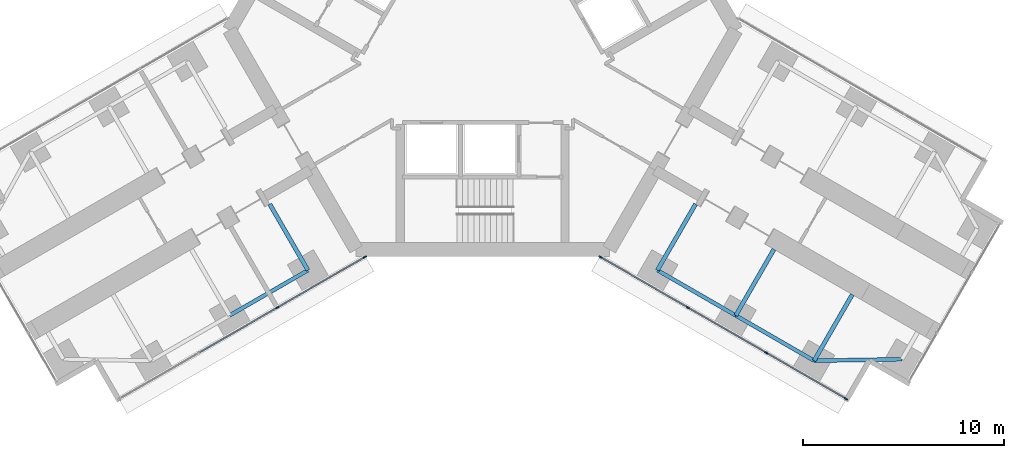
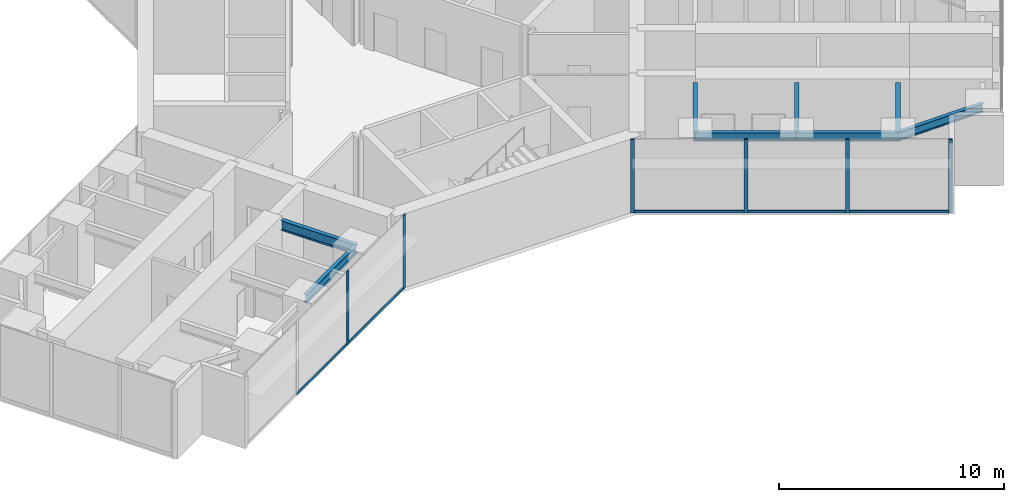
# One storey, part 9 of 23: 11 members, 8 beams, 2 elements without a shape of their own.
"""IFC4 building model written with IfcOpenShell, lengths in metres."""

from ifc_helpers import new_model, si_unit, direction, frame, origin, origin_2d, place, context, subcontext, project, spatial, rectangle, i_section, extrude, material, material_profile, profile_set, type_object, element, aggregate, save


model = new_model("IFC4")

# Units and contexts
model_context = context("Model", 3, precision=1e-05, world=origin(), true_north=direction((0.0, 1.0)))
body_context = subcontext(model_context, "Body", "Model", "MODEL_VIEW")
ifc_project = project(units=[si_unit("LENGTHUNIT", "METRE"), si_unit("AREAUNIT", "SQUARE_METRE"), si_unit("VOLUMEUNIT", "CUBIC_METRE"), si_unit("PLANEANGLEUNIT", "RADIAN"), si_unit("MASSUNIT", "GRAM", prefix="KILO")], contexts=[model_context])

# Site, building, storey
site_placement = place(None, origin())
site = spatial("IfcSite", under=ifc_project, at=site_placement, CompositionType="ELEMENT")
building_placement = place(site_placement, origin())
building = spatial("IfcBuilding", under=site, at=building_placement, Name="Upepo Twin Towers", CompositionType="ELEMENT")
storey_placement = place(building_placement, frame((0.0, 0.0, 32.5)))
storey = spatial("IfcBuildingStorey", under=building, at=storey_placement, Name="L07", CompositionType="ELEMENT", Elevation=32.5)

# Beams
ifc_material_1 = material(Name="Steel S355", Category="steel")
ifc_material_profile_1 = material_profile(ifc_material_1, i_section(OverallWidth=0.1904296875, OverallDepth=0.45703125, WebThickness=0.009033203125, FlangeThickness=0.014404296875, FilletRadius=0.01025390625, at=origin_2d()), Name="UB 457x191x74")
ifc_profile_set_1 = profile_set([ifc_material_profile_1], Name="Steel S355")
beam_type_1 = type_object("IfcBeamType", Name="Beam UB 457x191x74", PredefinedType="BEAM", material=ifc_profile_set_1)
for number, where, z_axis, x_axis, name in (
    (1, (49.80859375, -29.946044921875, 3.571533203125), (-0.866017533419, -0.500013631625, 0.0), (0.500013631625, -0.866017533419, 0.0), "T2 edge beam BL 13.5-18.0"),
    (2, (67.19140625, -29.946044921875, 3.571533203125), (0.866017533419, -0.500013631625, 0.0), (0.500013631625, 0.866017533419, 0.0), "T2 edge beam CR 13.5-18.0"),
):
    element("IfcBeam", number, at=place(storey_placement, frame(where, z_axis=z_axis, x_axis=x_axis)), inside=storey, type_object=beam_type_1, Name=name, PredefinedType="BEAM", context=body_context, shape_type="SweptSolid", body=[
        extrude(i_section(OverallWidth=0.1904296875, OverallDepth=0.45703125, WebThickness=0.009033203125, FlangeThickness=0.014404296875, FilletRadius=0.01025390625, at=origin_2d()), origin(), (0.0, 0.0, 1.0), 4.499755859375),
    ])
beam_1_placement = place(storey_placement, frame((71.08837890625, -32.196044921875, 3.571533203125), z_axis=(0.866031096941, -0.499990139034, 0.0), x_axis=(0.499990139034, 0.866031096941, 0.0)))
element("IfcBeam", 3, at=beam_1_placement, inside=storey, type_object=beam_type_1, Name="T2 edge beam CR 18.0-22.5", PredefinedType="BEAM", context=body_context, shape_type="SweptSolid", body=[
    extrude(i_section(OverallWidth=0.1904296875, OverallDepth=0.45703125, WebThickness=0.009033203125, FlangeThickness=0.014404296875, FilletRadius=0.01025390625, at=origin_2d()), origin(), (0.0, 0.0, 1.0), 4.5),
])
beam_2_placement = place(storey_placement, frame((74.985595703125, -34.446044921875, 3.571533203125), z_axis=(0.999858804832, 0.016803880528, 0.0), x_axis=(-0.016803880528, 0.999858804832, 0.0)))
element("IfcBeam", 4, at=beam_2_placement, inside=storey, type_object=beam_type_1, Name="T2 nose edge beam CR", PredefinedType="BEAM", context=body_context, shape_type="SweptSolid", body=[
    extrude(i_section(OverallWidth=0.1904296875, OverallDepth=0.45703125, WebThickness=0.009033203125, FlangeThickness=0.014404296875, FilletRadius=0.01025390625, at=origin_2d()), origin(), (0.0, 0.0, 1.0), 4.373291015625),
])
ifc_material_2 = material(Name="Steel S355", Category="steel")
ifc_material_profile_2 = material_profile(ifc_material_2, i_section(OverallWidth=0.209228515625, OverallDepth=0.533203125, WebThickness=0.010009765625, FlangeThickness=0.015625, FilletRadius=0.0126953125, at=origin_2d()), Name="UB 533x210x92")
ifc_profile_set_2 = profile_set([ifc_material_profile_2], Name="Steel S355")
beam_type_2 = type_object("IfcBeamType", Name="Beam UB 533x210x92", PredefinedType="BEAM", material=ifc_profile_set_2)
for number, where, z_axis, x_axis, name in (
    (5, (49.80859375, -29.946044921875, 3.533447265625), (-0.499994975061, 0.866028304915, 0.0), (-0.866028304915, -0.499994975061, 0.0), "T2 girder BL at 13.5"),
    (6, (67.19140625, -29.946044921875, 3.533447265625), (0.499994975061, 0.866028304915, 0.0), (-0.866028304915, 0.499994975061, 0.0), "T2 girder CR at 13.5"),
):
    element("IfcBeam", number, at=place(storey_placement, frame(where, z_axis=z_axis, x_axis=x_axis)), inside=storey, type_object=beam_type_2, Name=name, PredefinedType="BEAM", context=body_context, shape_type="SweptSolid", body=[
        extrude(i_section(OverallWidth=0.209228515625, OverallDepth=0.533203125, WebThickness=0.010009765625, FlangeThickness=0.015625, FilletRadius=0.0126953125, at=origin_2d()), origin(), (0.0, 0.0, 1.0), 3.7998046875),
    ])
beam_3_placement = place(storey_placement, frame((71.08837890625, -32.196044921875, 3.533447265625), z_axis=(0.500043160704, 0.866000483506, 0.0), x_axis=(-0.866000483506, 0.500043160704, 0.0)))
element("IfcBeam", 7, at=beam_3_placement, inside=storey, type_object=beam_type_2, Name="T2 girder CR at 18.0", PredefinedType="BEAM", context=body_context, shape_type="SweptSolid", body=[
    extrude(i_section(OverallWidth=0.209228515625, OverallDepth=0.533203125, WebThickness=0.010009765625, FlangeThickness=0.015625, FilletRadius=0.0126953125, at=origin_2d()), origin(), (0.0, 0.0, 1.0), 3.800048828125),
])
beam_4_placement = place(storey_placement, frame((74.985595703125, -34.446044921875, 3.533447265625), z_axis=(0.499994975061, 0.866028304915, 0.0), x_axis=(-0.866028304915, 0.499994975061, 0.0)))
element("IfcBeam", 8, at=beam_4_placement, inside=storey, type_object=beam_type_2, Name="T2 girder CR at 22.5", PredefinedType="BEAM", context=body_context, shape_type="SweptSolid", body=[
    extrude(i_section(OverallWidth=0.209228515625, OverallDepth=0.533203125, WebThickness=0.010009765625, FlangeThickness=0.015625, FilletRadius=0.0126953125, at=origin_2d()), origin(), (0.0, 0.0, 1.0), 3.7998046875),
])

# Curtain wall, members
ifc_material_3 = material(Name="Aluminium and fritted glass", Category="aluminium")
curtain_wall_type = type_object("IfcCurtainWallType", Name="Tower curtain wall TW1, fritted glass", PredefinedType="NOTDEFINED", material=ifc_material_3)
curtain_wall_1_placement = place(storey_placement, origin())
curtain_wall_1 = element("IfcCurtainWall", 9, at=curtain_wall_1_placement, inside=storey, type_object=curtain_wall_type, Name="T2 L07 wing B flank L curtain wall", PredefinedType="NOTDEFINED")
ifc_material_4 = material(Name="Aluminium mullion", Category="aluminium")
ifc_material_profile_3 = material_profile(ifc_material_4, rectangle(XDim=0.06494140625, YDim=0.179931640625, at=origin_2d()), Name="MULLION 65x180")
ifc_profile_set_3 = profile_set([ifc_material_profile_3], Name="Aluminium mullion")
member_type_1 = type_object("IfcMemberType", Name="Mullion 65x180 TW1", PredefinedType="MULLION", material=ifc_profile_set_3)
member_1_placement = place(storey_placement, frame((52.6416015625, -29.2919921875, 0.0), z_axis=(0.0, 0.0, 1.0), x_axis=(0.500000024426, -0.866025389682, 0.0)))
member_1 = element("IfcMember", 10, at=member_1_placement, type_object=member_type_1, Name="T2 L07 wing B flank L curtain wall mullion 1", PredefinedType="MULLION", context=body_context, shape_type="SweptSolid", body=[
    extrude(rectangle(XDim=0.06494140625, YDim=0.179931640625, at=origin_2d()), origin(), (0.0, 0.0, 1.0), 4.0),
])
member_2_placement = place(storey_placement, frame((48.28515625, -31.807373046875, 0.0), z_axis=(0.0, 0.0, 1.0), x_axis=(0.500000024426, -0.866025389682, 0.0)))
member_2 = element("IfcMember", 11, at=member_2_placement, type_object=member_type_1, Name="T2 L07 wing B flank L curtain wall mullion 2", PredefinedType="MULLION", context=body_context, shape_type="SweptSolid", body=[
    extrude(rectangle(XDim=0.06494140625, YDim=0.179931640625, at=origin_2d()), origin(), (0.0, 0.0, 1.0), 4.0),
])

curtain_wall_2_placement = place(storey_placement, origin())
curtain_wall_2 = element("IfcCurtainWall", 12, at=curtain_wall_2_placement, inside=storey, type_object=curtain_wall_type, Name="T2 L07 wing C flank R curtain wall", PredefinedType="NOTDEFINED")
member_3_placement = place(storey_placement, frame((76.567626953125, -36.341064453125, 0.0), z_axis=(0.0, 0.0, 1.0), x_axis=(-0.500000024426, -0.866025389682, 0.0)))
member_3 = element("IfcMember", 13, at=member_3_placement, type_object=member_type_1, Name="T2 L07 wing C flank R curtain wall mullion 1", PredefinedType="MULLION", context=body_context, shape_type="SweptSolid", body=[
    extrude(rectangle(XDim=0.06494140625, YDim=0.179931640625, at=origin_2d()), origin(), (0.0, 0.0, 1.0), 4.0),
])
member_4_placement = place(storey_placement, frame((72.612060546875, -34.057373046875, 0.0), z_axis=(0.0, 0.0, 1.0), x_axis=(-0.500000024426, -0.866025389682, 0.0)))
member_4 = element("IfcMember", 14, at=member_4_placement, type_object=member_type_1, Name="T2 L07 wing C flank R curtain wall mullion 2", PredefinedType="MULLION", context=body_context, shape_type="SweptSolid", body=[
    extrude(rectangle(XDim=0.06494140625, YDim=0.179931640625, at=origin_2d()), origin(), (0.0, 0.0, 1.0), 4.0),
])
member_5_placement = place(storey_placement, frame((68.71484375, -31.807373046875, 0.0), z_axis=(0.0, 0.0, 1.0), x_axis=(-0.500000024426, -0.866025389682, 0.0)))
member_5 = element("IfcMember", 15, at=member_5_placement, type_object=member_type_1, Name="T2 L07 wing C flank R curtain wall mullion 3", PredefinedType="MULLION", context=body_context, shape_type="SweptSolid", body=[
    extrude(rectangle(XDim=0.06494140625, YDim=0.179931640625, at=origin_2d()), origin(), (0.0, 0.0, 1.0), 4.0),
])
member_6_placement = place(storey_placement, frame((64.3583984375, -29.2919921875, 0.0), z_axis=(0.0, 0.0, 1.0), x_axis=(-0.500000024426, -0.866025389682, 0.0)))
member_6 = element("IfcMember", 16, at=member_6_placement, type_object=member_type_1, Name="T2 L07 wing C flank R curtain wall mullion 4", PredefinedType="MULLION", context=body_context, shape_type="SweptSolid", body=[
    extrude(rectangle(XDim=0.06494140625, YDim=0.179931640625, at=origin_2d()), origin(), (0.0, 0.0, 1.0), 4.0),
])

# Member
ifc_material_5 = material(Name="Aluminium transom", Category="aluminium")
ifc_material_profile_4 = material_profile(ifc_material_5, rectangle(XDim=0.06494140625, YDim=0.14990234375, at=origin_2d()), Name="TRANSOM 65x150")
ifc_profile_set_4 = profile_set([ifc_material_profile_4], Name="Aluminium transom")
member_type_2 = type_object("IfcMemberType", Name="Transom 65x150 TW1", PredefinedType="USERDEFINED", material=ifc_profile_set_4)
member_7_placement = place(storey_placement, frame((52.61328125, -29.308349609375, 0.074951171875), z_axis=(-0.866022642139, -0.50000478328, 0.0), x_axis=(0.50000478328, -0.866022642139, 0.0)))
member_7 = element("IfcMember", 17, at=member_7_placement, type_object=member_type_2, Name="T2 L07 wing B flank L curtain wall transom 1", ObjectType="TRANSOM", PredefinedType="USERDEFINED", context=body_context, shape_type="SweptSolid", body=[
    extrude(rectangle(XDim=0.06494140625, YDim=0.14990234375, at=origin_2d()), origin(), (0.0, 0.0, 1.0), 4.96533203125),
])

member_8_placement = place(storey_placement, frame((48.2568359375, -31.823486328125, 0.074951171875), z_axis=(-0.866022410713, -0.500005184116, 0.0), x_axis=(0.500005184116, -0.866022410713, 0.0)))
member_8 = element("IfcMember", 18, at=member_8_placement, type_object=member_type_2, Name="T2 L07 wing B flank L curtain wall transom 2", ObjectType="TRANSOM", PredefinedType="USERDEFINED", context=body_context, shape_type="SweptSolid", body=[
    extrude(rectangle(XDim=0.06494140625, YDim=0.14990234375, at=origin_2d()), origin(), (0.0, 0.0, 1.0), 4.43505859375),
])

aggregate(curtain_wall_1, [member_1, member_2, member_7, member_8])

member_9_placement = place(storey_placement, frame((76.53955078125, -36.32470703125, 0.074951171875), z_axis=(-0.866035699072, 0.499982167615, 0.0), x_axis=(-0.499982167615, -0.866035699072, 0.0)))
member_9 = element("IfcMember", 19, at=member_9_placement, type_object=member_type_2, Name="T2 L07 wing C flank R curtain wall transom 1", ObjectType="TRANSOM", PredefinedType="USERDEFINED", context=body_context, shape_type="SweptSolid", body=[
    extrude(rectangle(XDim=0.06494140625, YDim=0.14990234375, at=origin_2d()), origin(), (0.0, 0.0, 1.0), 4.502685546875),
])

member_10_placement = place(storey_placement, frame((72.583984375, -34.041015625, 0.074951171875), z_axis=(-0.866022410713, 0.500005184116, 0.0), x_axis=(-0.500005184116, -0.866022410713, 0.0)))
member_10 = element("IfcMember", 20, at=member_10_placement, type_object=member_type_2, Name="T2 L07 wing C flank R curtain wall transom 2", ObjectType="TRANSOM", PredefinedType="USERDEFINED", context=body_context, shape_type="SweptSolid", body=[
    extrude(rectangle(XDim=0.06494140625, YDim=0.14990234375, at=origin_2d()), origin(), (0.0, 0.0, 1.0), 4.43505859375),
])

member_11_placement = place(storey_placement, frame((68.686767578125, -31.791015625, 0.074951171875), z_axis=(-0.866022642139, 0.50000478328, 0.0), x_axis=(-0.50000478328, -0.866022642139, 0.0)))
member_11 = element("IfcMember", 21, at=member_11_placement, type_object=member_type_2, Name="T2 L07 wing C flank R curtain wall transom 3", ObjectType="TRANSOM", PredefinedType="USERDEFINED", context=body_context, shape_type="SweptSolid", body=[
    extrude(rectangle(XDim=0.06494140625, YDim=0.14990234375, at=origin_2d()), origin(), (0.0, 0.0, 1.0), 4.96533203125),
])

aggregate(curtain_wall_2, [member_3, member_4, member_5, member_6, member_9, member_10, member_11])

save(model, "model.ifc")
